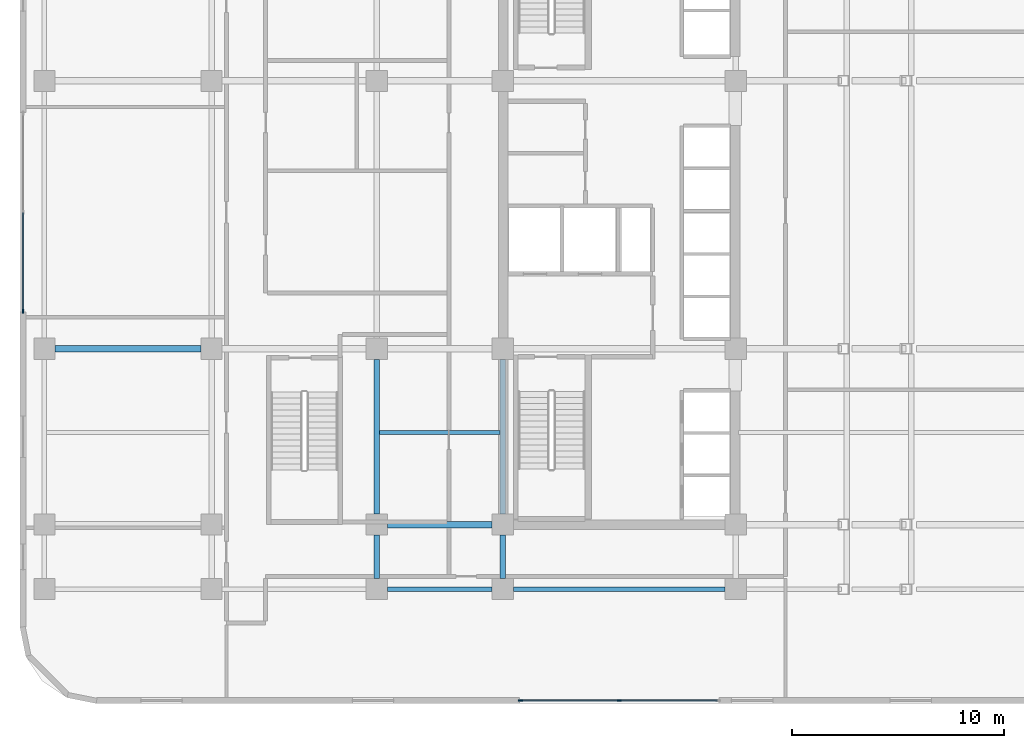
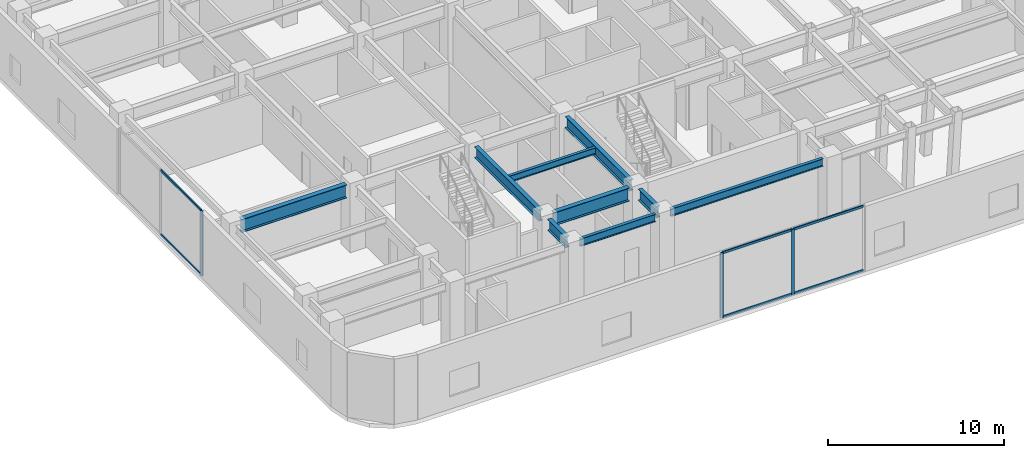
# One storey, part 2 of 12: 9 beams, 9 members, 2 elements without a shape of their own.
"""IFC4 building model written with IfcOpenShell, lengths in metres."""

from ifc_helpers import new_model, si_unit, direction, frame, origin, origin_2d, place, context, subcontext, project, spatial, rectangle, i_section, extrude, material, layer, layer_set, material_profile, profile_set, type_object, element, aggregate, save


model = new_model("IFC4")

# Units and contexts
model_context = context("Model", 3, precision=1e-05, world=origin(), true_north=direction((0.0, 1.0)))
body_context = subcontext(model_context, "Body", "Model", "MODEL_VIEW")
ifc_project = project(units=[si_unit("LENGTHUNIT", "METRE"), si_unit("AREAUNIT", "SQUARE_METRE"), si_unit("VOLUMEUNIT", "CUBIC_METRE"), si_unit("PLANEANGLEUNIT", "RADIAN"), si_unit("MASSUNIT", "GRAM", prefix="KILO")], contexts=[model_context])

# Site, building, storey
site_placement = place(None, origin())
site = spatial("IfcSite", under=ifc_project, at=site_placement, CompositionType="ELEMENT")
building_placement = place(site_placement, origin())
building = spatial("IfcBuilding", under=site, at=building_placement, Name="Ochreholt Gables", CompositionType="ELEMENT")
storey_placement = place(building_placement, frame((0.0, 0.0, 9.60009765625)))
storey = spatial("IfcBuildingStorey", under=building, at=storey_placement, Name="L02", CompositionType="ELEMENT", Elevation=9.60009765625)

# Beams
ifc_material_1 = material(Name="Steel CSA G40.21 350W", Category="steel")
ifc_material_profile_1 = material_profile(ifc_material_1, i_section(OverallWidth=0.26806640625, OverallDepth=0.77001953125, WebThickness=0.015625, FlangeThickness=0.025390625, at=origin_2d()), Name="W760X196")
ifc_profile_set_1 = profile_set([ifc_material_profile_1], Name="Steel CSA G40.21 350W")
beam_type_1 = type_object("IfcBeamType", Name="BM-G-W760", PredefinedType="BEAM", material=ifc_profile_set_1)
beam_1_placement = place(storey_placement, frame((18.25, 6.69970703125, 4.135009765625), z_axis=(0.0, 1.0, 0.0), x_axis=(-1.0, 0.0, 0.0)))
element("IfcBeam", 1, at=beam_1_placement, inside=storey, type_object=beam_type_1, Name="L02 Beam BG-L02-W3-Y1Y2", PredefinedType="BEAM", context=body_context, shape_type="SweptSolid", body=[
    extrude(i_section(OverallWidth=0.26806640625, OverallDepth=0.77001953125, WebThickness=0.015625, FlangeThickness=0.025390625, at=origin_2d()), origin(), (0.0, 0.0, 1.0), 2.05078125),
])
beam_2_placement = place(storey_placement, frame((18.25, 9.74951171875, 4.135009765625), z_axis=(0.0, 1.0, 0.0), x_axis=(-1.0, 0.0, 0.0)))
element("IfcBeam", 2, at=beam_2_placement, inside=storey, type_object=beam_type_1, Name="L02 Beam BG-L02-W3-Y2Y3", PredefinedType="BEAM", context=body_context, shape_type="SweptSolid", body=[
    extrude(i_section(OverallWidth=0.26806640625, OverallDepth=0.77001953125, WebThickness=0.015625, FlangeThickness=0.025390625, at=origin_2d()), origin(), (0.0, 0.0, 1.0), 7.30078125),
])
beam_3_placement = place(storey_placement, frame((24.199951171875, 6.69970703125, 4.135009765625), z_axis=(0.0, 1.0, 0.0), x_axis=(-1.0, 0.0, 0.0)))
element("IfcBeam", 3, at=beam_3_placement, inside=storey, type_object=beam_type_1, Name="L02 Beam BG-L02-C1-Y1Y2", PredefinedType="BEAM", context=body_context, shape_type="SweptSolid", body=[
    extrude(i_section(OverallWidth=0.26806640625, OverallDepth=0.77001953125, WebThickness=0.015625, FlangeThickness=0.025390625, at=origin_2d()), origin(), (0.0, 0.0, 1.0), 2.05078125),
])
beam_4_placement = place(storey_placement, frame((24.199951171875, 9.74951171875, 4.135009765625), z_axis=(0.0, 1.0, 0.0), x_axis=(-1.0, 0.0, 0.0)))
element("IfcBeam", 4, at=beam_4_placement, inside=storey, type_object=beam_type_1, Name="L02 Beam BG-L02-C1-Y2Y3", PredefinedType="BEAM", context=body_context, shape_type="SweptSolid", body=[
    extrude(i_section(OverallWidth=0.26806640625, OverallDepth=0.77001953125, WebThickness=0.015625, FlangeThickness=0.025390625, at=origin_2d()), origin(), (0.0, 0.0, 1.0), 7.30078125),
])
ifc_material_profile_2 = material_profile(ifc_material_1, i_section(OverallWidth=0.30810546875, OverallDepth=0.927001953125, WebThickness=0.019287109375, FlangeThickness=0.031982421875, at=origin_2d()), Name="W920X289")
ifc_profile_set_2 = profile_set([ifc_material_profile_2], Name="Steel CSA G40.21 350W")
beam_type_2 = type_object("IfcBeamType", Name="BM-G-W920", PredefinedType="BEAM", material=ifc_profile_set_2)
beam_5_placement = place(storey_placement, frame((18.74951171875, 9.25, 4.056396484375), z_axis=(1.0, 0.0, 0.0), x_axis=(0.0, 1.0, 0.0)))
element("IfcBeam", 5, at=beam_5_placement, inside=storey, type_object=beam_type_2, Name="L02 Beam BG-L02-W3C1-Y2", PredefinedType="BEAM", context=body_context, shape_type="SweptSolid", body=[
    extrude(i_section(OverallWidth=0.30810546875, OverallDepth=0.927001953125, WebThickness=0.019287109375, FlangeThickness=0.031982421875, at=origin_2d()), origin(), (0.0, 0.0, 1.0), 4.950927734375),
])
beam_6_placement = place(storey_placement, frame((3.049560546875, 17.550048828125, 4.056396484375), z_axis=(1.0, 0.0, 0.0), x_axis=(0.0, 1.0, 0.0)))
element("IfcBeam", 6, at=beam_6_placement, inside=storey, type_object=beam_type_2, Name="L02 Beam BG-L02-W1W2-Y3", PredefinedType="BEAM", context=body_context, shape_type="SweptSolid", body=[
    extrude(i_section(OverallWidth=0.30810546875, OverallDepth=0.927001953125, WebThickness=0.019287109375, FlangeThickness=0.031982421875, at=origin_2d()), origin(), (0.0, 0.0, 1.0), 6.90087890625),
])
ifc_material_profile_3 = material_profile(ifc_material_1, i_section(OverallWidth=0.18994140625, OverallDepth=0.45703125, WebThickness=0.009033203125, FlangeThickness=0.014404296875, at=origin_2d()), Name="W460X74")
ifc_profile_set_3 = profile_set([ifc_material_profile_3], Name="Steel CSA G40.21 350W")
beam_type_3 = type_object("IfcBeamType", Name="BM-J-W460B", PredefinedType="JOIST", material=ifc_profile_set_3)
beam_7_placement = place(storey_placement, frame((18.383544921875, 13.60009765625, 4.29150390625), z_axis=(1.0, 0.0, 0.0), x_axis=(0.0, 1.0, 0.0)))
element("IfcBeam", 7, at=beam_7_placement, inside=storey, type_object=beam_type_3, Name="L02 Beam BJ-L02-J1-W3C1", PredefinedType="JOIST", context=body_context, shape_type="SweptSolid", body=[
    extrude(i_section(OverallWidth=0.18994140625, OverallDepth=0.45703125, WebThickness=0.009033203125, FlangeThickness=0.014404296875, at=origin_2d()), origin(), (0.0, 0.0, 1.0), 5.682861328125),
])
ifc_material_profile_4 = material_profile(ifc_material_1, i_section(OverallWidth=0.208984375, OverallDepth=0.532958984375, WebThickness=0.01025390625, FlangeThickness=0.015625, at=origin_2d()), Name="W530X92")
ifc_profile_set_4 = profile_set([ifc_material_profile_4], Name="Steel CSA G40.21 350W")
beam_type_4 = type_object("IfcBeamType", Name="BM-SP-W530B", PredefinedType="SPANDREL", material=ifc_profile_set_4)
beam_8_placement = place(storey_placement, frame((18.74951171875, 6.199951171875, 4.25341796875), z_axis=(1.0, 0.0, 0.0), x_axis=(0.0, 1.0, 0.0)))
element("IfcBeam", 8, at=beam_8_placement, inside=storey, type_object=beam_type_4, Name="L02 Beam BG-L02-W3C1-Y1", PredefinedType="SPANDREL", context=body_context, shape_type="SweptSolid", body=[
    extrude(i_section(OverallWidth=0.208984375, OverallDepth=0.532958984375, WebThickness=0.01025390625, FlangeThickness=0.015625, at=origin_2d()), origin(), (0.0, 0.0, 1.0), 4.950927734375),
])
beam_9_placement = place(storey_placement, frame((24.69970703125, 6.199951171875, 4.25341796875), z_axis=(1.0, 0.0, 0.0), x_axis=(0.0, 1.0, 0.0)))
element("IfcBeam", 9, at=beam_9_placement, inside=storey, type_object=beam_type_4, Name="L02 Beam BG-L02-C1C2-Y1", PredefinedType="SPANDREL", context=body_context, shape_type="SweptSolid", body=[
    extrude(i_section(OverallWidth=0.208984375, OverallDepth=0.532958984375, WebThickness=0.01025390625, FlangeThickness=0.015625, at=origin_2d()), origin(), (0.0, 0.0, 1.0), 10.000732421875),
])

# Curtain wall, members
ifc_material_2 = material(Name="Unitised Aluminium and Triple Glazing", Category="aluminium")
ifc_layer = layer(ifc_material_2, 0.199951171875, Name="Unitised Aluminium and Triple Glazing")
ifc_layer_set = layer_set([ifc_layer], Name="Unitised Aluminium and Triple Glazing")
curtain_wall_type = type_object("IfcCurtainWallType", Name="CW-SYS1", PredefinedType="NOTDEFINED", material=ifc_layer_set)
curtain_wall_1_placement = place(storey_placement, origin())
curtain_wall_1 = element("IfcCurtainWall", 10, at=curtain_wall_1_placement, inside=storey, type_object=curtain_wall_type, Name="L02 South Unitised Curtain Wall", PredefinedType="NOTDEFINED")
ifc_material_3 = material(Name="Anodized Aluminium 6063-T6", Category="aluminium")
ifc_material_profile_5 = material_profile(ifc_material_3, rectangle(XDim=0.074951171875, YDim=0.199951171875, at=origin_2d()), Name="CWM75X200")
ifc_profile_set_5 = profile_set([ifc_material_profile_5], Name="Anodized Aluminium 6063-T6")
member_type_1 = type_object("IfcMemberType", Name="CW-MUL-A", PredefinedType="MULLION", material=ifc_profile_set_5)
member_1_placement = place(storey_placement, frame((25.03759765625, 0.945068359375, 0.0), z_axis=(0.0, 0.0, 1.0), x_axis=(0.0, 1.0, 0.0)))
member_1 = element("IfcMember", 11, at=member_1_placement, type_object=member_type_1, Name="CW-1 mullion 1", PredefinedType="MULLION", context=body_context, shape_type="SweptSolid", body=[
    extrude(rectangle(XDim=0.074951171875, YDim=0.199951171875, at=origin_2d()), origin(), (0.0, 0.0, 1.0), 4.52001953125),
])
member_2_placement = place(storey_placement, frame((29.699951171875, 0.945068359375, 0.0), z_axis=(0.0, 0.0, 1.0), x_axis=(0.0, 1.0, 0.0)))
member_2 = element("IfcMember", 12, at=member_2_placement, type_object=member_type_1, Name="CW-1 mullion 2", PredefinedType="MULLION", context=body_context, shape_type="SweptSolid", body=[
    extrude(rectangle(XDim=0.074951171875, YDim=0.199951171875, at=origin_2d()), origin(), (0.0, 0.0, 1.0), 4.52001953125),
])

# Curtain wall, member
curtain_wall_2_placement = place(storey_placement, origin())
curtain_wall_2 = element("IfcCurtainWall", 13, at=curtain_wall_2_placement, inside=storey, type_object=curtain_wall_type, Name="L02 West Unitised Curtain Wall", PredefinedType="NOTDEFINED")
member_3_placement = place(storey_placement, frame((1.544921875, 19.32080078125, 0.0), z_axis=(0.0, 0.0, 1.0), x_axis=(1.0, 0.0, 0.0)))
member_3 = element("IfcMember", 14, at=member_3_placement, type_object=member_type_1, Name="CW-1 mullion 3", PredefinedType="MULLION", context=body_context, shape_type="SweptSolid", body=[
    extrude(rectangle(XDim=0.074951171875, YDim=0.199951171875, at=origin_2d()), origin(), (0.0, 0.0, 1.0), 4.52001953125),
])

# Member
ifc_material_profile_6 = material_profile(ifc_material_3, rectangle(XDim=0.074951171875, YDim=0.159912109375, at=origin_2d()), Name="CWT75X160")
ifc_profile_set_6 = profile_set([ifc_material_profile_6], Name="Anodized Aluminium 6063-T6")
member_type_2 = type_object("IfcMemberType", Name="CW-TRN-A", PredefinedType="USERDEFINED", material=ifc_profile_set_6)
member_4_placement = place(storey_placement, frame((25.074951171875, 0.945068359375, 0.037353515625), z_axis=(1.0, 0.0, 0.0), x_axis=(0.0, 1.0, 0.0)))
member_4 = element("IfcMember", 15, at=member_4_placement, type_object=member_type_2, Name="CW-1 transom 1.1", ObjectType="TRANSOM", PredefinedType="USERDEFINED", context=body_context, shape_type="SweptSolid", body=[
    extrude(rectangle(XDim=0.074951171875, YDim=0.159912109375, at=origin_2d()), origin(), (0.0, 0.0, 1.0), 4.587646484375),
])

member_5_placement = place(storey_placement, frame((25.074951171875, 0.945068359375, 4.482421875), z_axis=(1.0, 0.0, 0.0), x_axis=(0.0, 1.0, 0.0)))
member_5 = element("IfcMember", 16, at=member_5_placement, type_object=member_type_2, Name="CW-1 transom 1.2", ObjectType="TRANSOM", PredefinedType="USERDEFINED", context=body_context, shape_type="SweptSolid", body=[
    extrude(rectangle(XDim=0.074951171875, YDim=0.159912109375, at=origin_2d()), origin(), (0.0, 0.0, 1.0), 4.587646484375),
])

member_6_placement = place(storey_placement, frame((29.737548828125, 0.945068359375, 0.037353515625), z_axis=(1.0, 0.0, 0.0), x_axis=(0.0, 1.0, 0.0)))
member_6 = element("IfcMember", 17, at=member_6_placement, type_object=member_type_2, Name="CW-1 transom 2.1", ObjectType="TRANSOM", PredefinedType="USERDEFINED", context=body_context, shape_type="SweptSolid", body=[
    extrude(rectangle(XDim=0.074951171875, YDim=0.159912109375, at=origin_2d()), origin(), (0.0, 0.0, 1.0), 4.58740234375),
])

member_7_placement = place(storey_placement, frame((29.737548828125, 0.945068359375, 4.482421875), z_axis=(1.0, 0.0, 0.0), x_axis=(0.0, 1.0, 0.0)))
member_7 = element("IfcMember", 18, at=member_7_placement, type_object=member_type_2, Name="CW-1 transom 2.2", ObjectType="TRANSOM", PredefinedType="USERDEFINED", context=body_context, shape_type="SweptSolid", body=[
    extrude(rectangle(XDim=0.074951171875, YDim=0.159912109375, at=origin_2d()), origin(), (0.0, 0.0, 1.0), 4.58740234375),
])

aggregate(curtain_wall_1, [member_1, member_2, member_4, member_5, member_6, member_7])

member_8_placement = place(storey_placement, frame((1.544921875, 23.96240234375, 0.037353515625), z_axis=(0.0, -1.0, 0.0), x_axis=(1.0, 0.0, 0.0)))
member_8 = element("IfcMember", 19, at=member_8_placement, type_object=member_type_2, Name="CW-1 transom 2.1", ObjectType="TRANSOM", PredefinedType="USERDEFINED", context=body_context, shape_type="SweptSolid", body=[
    extrude(rectangle(XDim=0.074951171875, YDim=0.159912109375, at=origin_2d()), origin(), (0.0, 0.0, 1.0), 4.60400390625),
])

member_9_placement = place(storey_placement, frame((1.544921875, 23.96240234375, 4.482421875), z_axis=(0.0, -1.0, 0.0), x_axis=(1.0, 0.0, 0.0)))
member_9 = element("IfcMember", 20, at=member_9_placement, type_object=member_type_2, Name="CW-1 transom 2.2", ObjectType="TRANSOM", PredefinedType="USERDEFINED", context=body_context, shape_type="SweptSolid", body=[
    extrude(rectangle(XDim=0.074951171875, YDim=0.159912109375, at=origin_2d()), origin(), (0.0, 0.0, 1.0), 4.60400390625),
])

aggregate(curtain_wall_2, [member_3, member_8, member_9])

save(model, "model.ifc")
